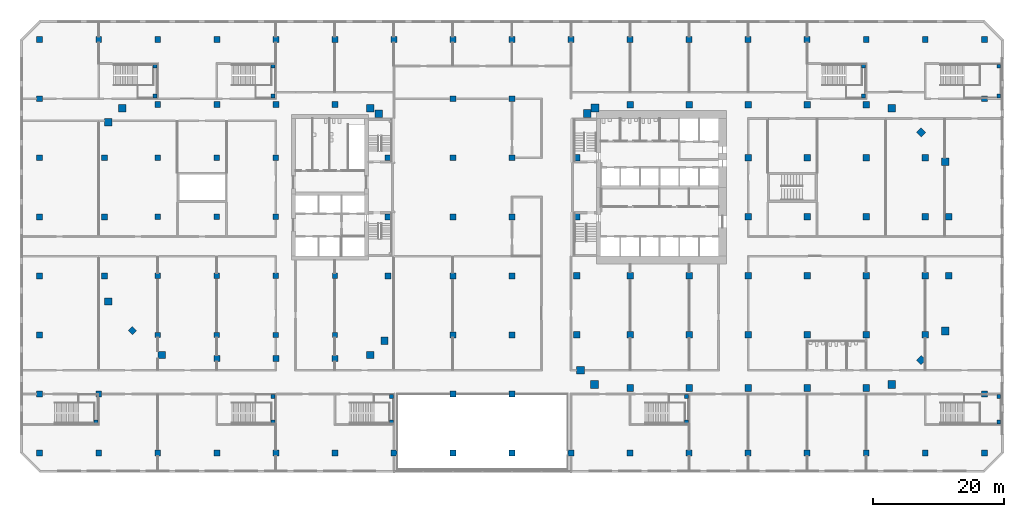
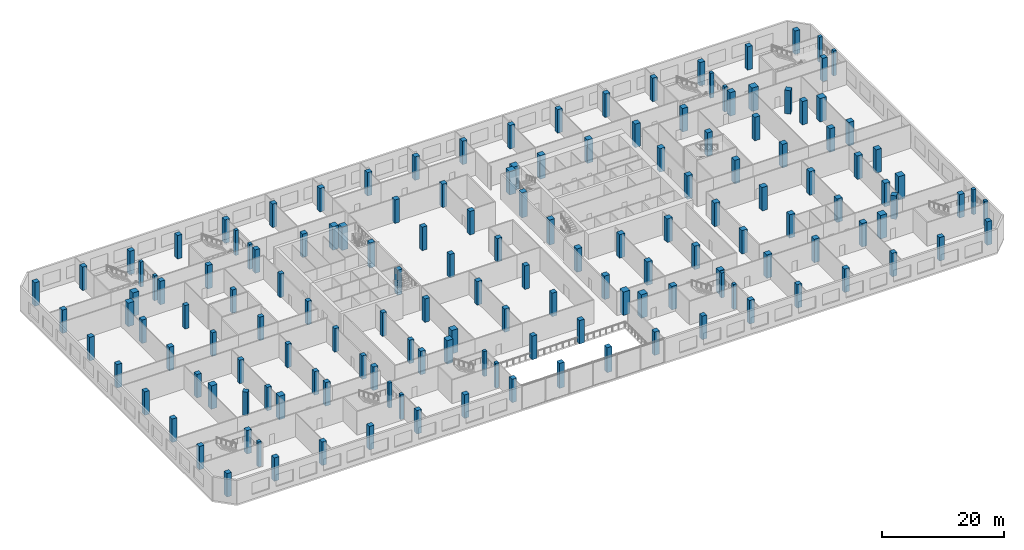
# One storey, part 1 of 23: 154 columns.
"""IFC4 building model written with IfcOpenShell, lengths in metres."""

from ifc_helpers import new_model, si_unit, direction, frame, origin, origin_2d, place, context, subcontext, project, spatial, rectangle, extrude, material, material_profile, profile_set, type_object, element, save


model = new_model("IFC4")

# Units and contexts
model_context = context("Model", 3, precision=1e-05, world=origin(), true_north=direction((0.0, 1.0)))
body_context = subcontext(model_context, "Body", "Model", "MODEL_VIEW")
ifc_project = project(units=[si_unit("LENGTHUNIT", "METRE"), si_unit("AREAUNIT", "SQUARE_METRE"), si_unit("VOLUMEUNIT", "CUBIC_METRE"), si_unit("PLANEANGLEUNIT", "RADIAN"), si_unit("MASSUNIT", "GRAM", prefix="KILO")], contexts=[model_context])

# Site, building, storey
site_placement = place(None, origin())
site = spatial("IfcSite", under=ifc_project, at=site_placement, CompositionType="ELEMENT")
building_placement = place(site_placement, origin())
building = spatial("IfcBuilding", under=site, at=building_placement, Name="Cinnabar Reach Civic Tower", CompositionType="ELEMENT")
storey_placement = place(building_placement, frame((0.0, 0.0, 6.0)))
storey = spatial("IfcBuildingStorey", under=building, at=storey_placement, Name="L01", CompositionType="ELEMENT", Elevation=6.0)

# Columns
ifc_material_1 = material(Name="Concrete C70", Category="concrete")
ifc_material_profile_1 = material_profile(ifc_material_1, rectangle(XDim=1.0, YDim=1.0, at=origin_2d()), Name="RC1000")
ifc_profile_set_1 = profile_set([ifc_material_profile_1], Name="Concrete C70")
column_type_1 = type_object("IfcColumnType", Name="RC1000 column R 240", PredefinedType="COLUMN", material=ifc_profile_set_1)
for number, where, z_axis, x_axis, name in (
    (1, (9.0, 0.9, 0.0), (0.0, 0.0, 1.0), (1.0, 0.0, 0.0), "Column T1-Z1-F0-1"),
    (2, (18.0, 0.9, 0.0), (0.0, 0.0, 1.0), (1.0, 0.0, 0.0), "Column T1-Z1-F0-2"),
    (3, (27.0, 0.9, 0.0), (0.0, 0.0, 1.0), (1.0, 0.0, 0.0), "Column T1-Z1-F0-3"),
    (4, (36.0, 0.9, 0.0), (0.0, 0.0, 1.0), (1.0, 0.0, 0.0), "Column T1-Z1-F0-4"),
    (5, (45.0, 0.9, 0.0), (0.0, 0.0, 1.0), (1.0, 0.0, 0.0), "Column T1-Z1-F0-5"),
    (6, (53.3636, 5.1364, 0.0), (0.0, 0.0, 1.0), (0.707106781187, 0.707106781187, 0.0), "Column T1-Z1-F1-M"),
    (7, (57.6, 18.0, 0.0), (0.0, 0.0, 1.0), (1.0, 0.0, 0.0), "Column T1-Z1-F2-2"),
    (8, (57.6, 27.0, 0.0), (0.0, 0.0, 1.0), (1.0, 0.0, 0.0), "Column T1-Z1-F2-3"),
    (9, (53.3636, 39.8636, 0.0), (0.0, 0.0, 1.0), (0.707106781187, 0.707106781187, 0.0), "Column T1-Z1-F3-M"),
    (10, (9.0, 44.1, 0.0), (0.0, 0.0, 1.0), (1.0, 0.0, 0.0), "Column T1-Z1-F4-1"),
    (11, (18.0, 44.1, 0.0), (0.0, 0.0, 1.0), (1.0, 0.0, 0.0), "Column T1-Z1-F4-2"),
    (12, (27.0, 44.1, 0.0), (0.0, 0.0, 1.0), (1.0, 0.0, 0.0), "Column T1-Z1-F4-3"),
    (13, (36.0, 44.1, 0.0), (0.0, 0.0, 1.0), (1.0, 0.0, 0.0), "Column T1-Z1-F4-4"),
    (14, (45.0, 44.1, 0.0), (0.0, 0.0, 1.0), (1.0, 0.0, 0.0), "Column T1-Z1-F4-5"),
    (15, (0.9, 9.0, 0.0), (0.0, 0.0, 1.0), (1.0, 0.0, 0.0), "Column T1-Z1-F6-1"),
    (16, (0.9, 18.0, 0.0), (0.0, 0.0, 1.0), (1.0, 0.0, 0.0), "Column T1-Z1-F6-2"),
):
    element("IfcColumn", number, at=place(storey_placement, frame(where, z_axis=z_axis, x_axis=x_axis)), inside=storey, type_object=column_type_1, Name=name, PredefinedType="COLUMN", context=body_context, shape_type="SweptSolid", body=[
        extrude(rectangle(XDim=1.0, YDim=1.0, at=origin_2d()), origin(), (0.0, 0.0, 1.0), 4.7),
    ])
for number, where, z_axis, x_axis, name in (
    (17, (0.9, 27.0, 0.0), (0.0, 0.0, 1.0), (1.0, 0.0, 0.0), "Column T1-Z1-F6-3"),
    (18, (0.9, 36.0, 0.0), (0.0, 0.0, 1.0), (1.0, 0.0, 0.0), "Column T1-Z1-F6-4"),
):
    element("IfcColumn", number, at=place(storey_placement, frame(where, z_axis=z_axis, x_axis=x_axis)), inside=storey, type_object=column_type_1, Name=name, PredefinedType="COLUMN", context=body_context, shape_type="SweptSolid", body=[
        extrude(rectangle(XDim=1.0, YDim=1.0, at=origin_2d()), origin(), (0.0, 0.0, 1.0), 5.0),
    ])
for number, where, z_axis, x_axis, name in (
    (19, (9.0, 9.0, 0.0), (0.0, 0.0, 1.0), (1.0, 0.0, 0.0), "Column T1-Z1-I9_9"),
    (20, (9.0, 18.0, 0.0), (0.0, 0.0, 1.0), (1.0, 0.0, 0.0), "Column T1-Z1-I9_18"),
    (21, (18.0, 9.0, 0.0), (0.0, 0.0, 1.0), (1.0, 0.0, 0.0), "Column T1-Z1-I18_9"),
    (22, (18.0, 18.0, 0.0), (0.0, 0.0, 1.0), (1.0, 0.0, 0.0), "Column T1-Z1-I18_18"),
    (23, (27.0, 9.0, 0.0), (0.0, 0.0, 1.0), (1.0, 0.0, 0.0), "Column T1-Z1-I27_9"),
    (24, (27.0, 18.0, 0.0), (0.0, 0.0, 1.0), (1.0, 0.0, 0.0), "Column T1-Z1-I27_18"),
    (25, (27.0, 27.0, 0.0), (0.0, 0.0, 1.0), (1.0, 0.0, 0.0), "Column T1-Z1-I27_27"),
    (26, (27.0, 36.0, 0.0), (0.0, 0.0, 1.0), (1.0, 0.0, 0.0), "Column T1-Z1-I27_36"),
    (27, (36.0, 9.0, 0.0), (0.0, 0.0, 1.0), (1.0, 0.0, 0.0), "Column T1-Z1-I36_9"),
    (28, (36.0, 18.0, 0.0), (0.0, 0.0, 1.0), (1.0, 0.0, 0.0), "Column T1-Z1-I36_18"),
    (29, (36.0, 27.0, 0.0), (0.0, 0.0, 1.0), (1.0, 0.0, 0.0), "Column T1-Z1-I36_27"),
    (30, (36.0, 36.0, 0.0), (0.0, 0.0, 1.0), (1.0, 0.0, 0.0), "Column T1-Z1-I36_36"),
    (31, (45.0, 9.0, 0.0), (0.0, 0.0, 1.0), (1.0, 0.0, 0.0), "Column T1-Z1-I45_9"),
    (32, (45.0, 18.0, 0.0), (0.0, 0.0, 1.0), (1.0, 0.0, 0.0), "Column T1-Z1-I45_18"),
    (33, (45.0, 27.0, 0.0), (0.0, 0.0, 1.0), (1.0, 0.0, 0.0), "Column T1-Z1-I45_27"),
    (34, (45.0, 36.0, 0.0), (0.0, 0.0, 1.0), (1.0, 0.0, 0.0), "Column T1-Z1-I45_36"),
    (35, (54.0, 9.0, 0.0), (0.0, 0.0, 1.0), (1.0, 0.0, 0.0), "Column T1-Z1-I54_9"),
    (36, (54.0, 18.0, 0.0), (0.0, 0.0, 1.0), (1.0, 0.0, 0.0), "Column T1-Z1-I54_18"),
    (37, (54.0, 27.0, 0.0), (0.0, 0.0, 1.0), (1.0, 0.0, 0.0), "Column T1-Z1-I54_27"),
    (38, (54.0, 36.0, 0.0), (0.0, 0.0, 1.0), (1.0, 0.0, 0.0), "Column T1-Z1-I54_36"),
):
    element("IfcColumn", number, at=place(storey_placement, frame(where, z_axis=z_axis, x_axis=x_axis)), inside=storey, type_object=column_type_1, Name=name, PredefinedType="COLUMN", context=body_context, shape_type="SweptSolid", body=[
        extrude(rectangle(XDim=1.0, YDim=1.0, at=origin_2d()), origin(), (0.0, 0.0, 1.0), 4.7),
    ])
ifc_material_2 = material(Name="Concrete C80", Category="concrete")
ifc_material_profile_2 = material_profile(ifc_material_2, rectangle(XDim=1.1, YDim=1.1, at=origin_2d()), Name="RC1100")
ifc_profile_set_2 = profile_set([ifc_material_profile_2], Name="Concrete C80")
column_type_2 = type_object("IfcColumnType", Name="RC1100 column R 180", PredefinedType="COLUMN", material=ifc_profile_set_2)
for number, where, z_axis, x_axis, name in (
    (39, (-62.3981, 5.9531, 0.0), (0.0, 0.0, 1.0), (1.0, 0.0, 0.0), "Column T2-Z1-CC0"),
    (40, (-30.6019, 5.9531, 0.0), (0.0, 0.0, 1.0), (1.0, 0.0, 0.0), "Column T2-Z1-CC1"),
    (41, (-28.4531, 8.1019, 0.0), (0.0, 0.0, 1.0), (1.0, 0.0, 0.0), "Column T2-Z1-CC2"),
    (42, (-29.3131, 42.7, 0.0), (0.0, 0.0, 1.0), (1.0, 0.0, 0.0), "Column T2-Z1-CC3"),
    (43, (-30.6019, 43.5469, 0.0), (0.0, 0.0, 1.0), (1.0, 0.0, 0.0), "Column T2-Z1-CC4"),
    (44, (-68.3981, 43.5469, 0.0), (0.0, 0.0, 1.0), (1.0, 0.0, 0.0), "Column T2-Z1-CC5"),
    (45, (-70.5469, 41.3981, 0.0), (0.0, 0.0, 1.0), (1.0, 0.0, 0.0), "Column T2-Z1-CC6"),
    (46, (-70.5469, 14.1019, 0.0), (0.0, 0.0, 1.0), (1.0, 0.0, 0.0), "Column T2-Z1-CC7"),
):
    element("IfcColumn", number, at=place(storey_placement, frame(where, z_axis=z_axis, x_axis=x_axis)), inside=storey, type_object=column_type_2, Name=name, PredefinedType="COLUMN", context=body_context, shape_type="SweptSolid", body=[
        extrude(rectangle(XDim=1.1, YDim=1.1, at=origin_2d()), origin(), (0.0, 0.0, 1.0), 4.7),
    ])
ifc_material_profile_3 = material_profile(ifc_material_2, rectangle(XDim=1.2, YDim=1.2, at=origin_2d()), Name="RC1200")
ifc_profile_set_3 = profile_set([ifc_material_profile_3], Name="Concrete C80")
column_type_3 = type_object("IfcColumnType", Name="RC1200 column R 240", PredefinedType="COLUMN", material=ifc_profile_set_3)
for number, where, z_axis, x_axis, name in (
    (47, (3.6019, 1.4531, 0.0), (0.0, 0.0, 1.0), (1.0, 0.0, 0.0), "Column T1-Z1-CC0"),
    (48, (48.8981, 1.4531, 0.0), (0.0, 0.0, 1.0), (1.0, 0.0, 0.0), "Column T1-Z1-CC1"),
    (49, (57.0469, 9.6019, 0.0), (0.0, 0.0, 1.0), (1.0, 0.0, 0.0), "Column T1-Z1-CC2"),
    (50, (57.0469, 35.3981, 0.0), (0.0, 0.0, 1.0), (1.0, 0.0, 0.0), "Column T1-Z1-CC3"),
    (51, (48.8981, 43.5469, 0.0), (0.0, 0.0, 1.0), (1.0, 0.0, 0.0), "Column T1-Z1-CC4"),
    (52, (3.6666, 43.5737, 0.0), (0.0, 0.0, 1.0), (1.0, 0.0, 0.0), "Column T1-Z1-CC5"),
    (53, (2.4631, 42.75, 0.0), (0.0, 0.0, 1.0), (1.0, 0.0, 0.0), "Column T1-Z1-CC6"),
    (54, (1.4531, 3.6019, 0.0), (0.0, 0.0, 1.0), (1.0, 0.0, 0.0), "Column T1-Z1-CC7"),
):
    element("IfcColumn", number, at=place(storey_placement, frame(where, z_axis=z_axis, x_axis=x_axis)), inside=storey, type_object=column_type_3, Name=name, PredefinedType="COLUMN", context=body_context, shape_type="SweptSolid", body=[
        extrude(rectangle(XDim=1.2, YDim=1.2, at=origin_2d()), origin(), (0.0, 0.0, 1.0), 4.7),
    ])
ifc_material_3 = material(Name="Concrete C60", Category="concrete")
ifc_material_profile_4 = material_profile(ifc_material_3, rectangle(XDim=0.6, YDim=0.6, at=origin_2d()), Name="RC600")
ifc_profile_set_4 = profile_set([ifc_material_profile_4], Name="Concrete C60")
column_type_4 = type_object("IfcColumnType", Name="RC600 landing post R 240", PredefinedType="COLUMN", material=ifc_profile_set_4)
for number, where, z_axis, x_axis, name in (
    (55, (-72.4, -4.25, 0.0), (0.0, 0.0, 1.0), (1.0, 0.0, 0.0), "Landing post PS1 L01 1"),
    (56, (-63.4, 49.95, 0.0), (0.0, 0.0, 1.0), (1.0, 0.0, 0.0), "Landing post PS2 L01 1"),
    (57, (-63.4, 45.4, 0.0), (0.0, 0.0, 1.0), (1.0, 0.0, 0.0), "Landing post PS2 L01 2"),
    (58, (17.6, -4.25, 0.0), (0.0, 0.0, 1.0), (1.0, 0.0, 0.0), "Landing post PS3 L01 1"),
    (59, (17.6, -0.4, 0.0), (0.0, 0.0, 1.0), (1.0, 0.0, 0.0), "Landing post PS3 L01 2"),
    (60, (65.2, -4.25, 0.0), (0.0, 0.0, 1.0), (1.0, 0.0, 0.0), "Landing post PS4 L01 1"),
    (61, (65.2, -0.4, 0.0), (0.0, 0.0, 1.0), (1.0, 0.0, 0.0), "Landing post PS4 L01 2"),
    (62, (65.2, 49.95, 0.0), (0.0, 0.0, 1.0), (1.0, 0.0, 0.0), "Landing post PS5 L01 1"),
    (63, (65.2, 45.4, 0.0), (0.0, 0.0, 1.0), (1.0, 0.0, 0.0), "Landing post PS5 L01 2"),
    (64, (44.6, 49.95, 0.0), (0.0, 0.0, 1.0), (1.0, 0.0, 0.0), "Landing post PS6 L01 1"),
    (65, (44.6, 45.4, 0.0), (0.0, 0.0, 1.0), (1.0, 0.0, 0.0), "Landing post PS6 L01 2"),
    (66, (-45.4, 49.95, 0.0), (0.0, 0.0, 1.0), (1.0, 0.0, 0.0), "Landing post PS7 L01 1"),
    (67, (-45.4, 45.4, 0.0), (0.0, 0.0, 1.0), (1.0, 0.0, 0.0), "Landing post PS7 L01 2"),
    (68, (-45.4, -4.25, 0.0), (0.0, 0.0, 1.0), (1.0, 0.0, 0.0), "Landing post PS8 L01 1"),
    (69, (-45.4, -0.4, 0.0), (0.0, 0.0, 1.0), (1.0, 0.0, 0.0), "Landing post PS8 L01 2"),
    (70, (-27.4, -4.25, 0.0), (0.0, 0.0, 1.0), (1.0, 0.0, 0.0), "Landing post PS9 L01 1"),
    (71, (-27.4, -0.4, 0.0), (0.0, 0.0, 1.0), (1.0, 0.0, 0.0), "Landing post PS9 L01 2"),
):
    element("IfcColumn", number, at=place(storey_placement, frame(where, z_axis=z_axis, x_axis=x_axis)), inside=storey, type_object=column_type_4, Name=name, PredefinedType="COLUMN", context=body_context, shape_type="SweptSolid", body=[
        extrude(rectangle(XDim=0.6, YDim=0.6, at=origin_2d()), origin(), (0.0, 0.0, 1.0), 5.0),
    ])
ifc_material_profile_5 = material_profile(ifc_material_3, rectangle(XDim=0.8, YDim=0.8, at=origin_2d()), Name="RC800")
ifc_profile_set_5 = profile_set([ifc_material_profile_5], Name="Concrete C60")
column_type_5 = type_object("IfcColumnType", Name="RC800 column R 180", PredefinedType="COLUMN", material=ifc_profile_set_5)
for number, where, z_axis, x_axis, name in (
    (72, (-63.0, 9.0, 0.0), (0.0, 0.0, 1.0), (1.0, 0.0, 0.0), "Column T2-Z1-I-63_9"),
    (73, (-63.0, 18.0, 0.0), (0.0, 0.0, 1.0), (1.0, 0.0, 0.0), "Column T2-Z1-I-63_18"),
    (74, (-63.0, 27.0, 0.0), (0.0, 0.0, 1.0), (1.0, 0.0, 0.0), "Column T2-Z1-I-63_27"),
    (75, (-63.0, 36.0, 0.0), (0.0, 0.0, 1.0), (1.0, 0.0, 0.0), "Column T2-Z1-I-63_36"),
    (76, (-54.0, 9.0, 0.0), (0.0, 0.0, 1.0), (1.0, 0.0, 0.0), "Column T2-Z1-I-54_9"),
    (77, (-54.0, 18.0, 0.0), (0.0, 0.0, 1.0), (1.0, 0.0, 0.0), "Column T2-Z1-I-54_18"),
    (78, (-54.0, 27.0, 0.0), (0.0, 0.0, 1.0), (1.0, 0.0, 0.0), "Column T2-Z1-I-54_27"),
    (79, (-54.0, 36.0, 0.0), (0.0, 0.0, 1.0), (1.0, 0.0, 0.0), "Column T2-Z1-I-54_36"),
    (80, (-45.0, 9.0, 0.0), (0.0, 0.0, 1.0), (1.0, 0.0, 0.0), "Column T2-Z1-I-45_9"),
    (81, (-45.0, 18.0, 0.0), (0.0, 0.0, 1.0), (1.0, 0.0, 0.0), "Column T2-Z1-I-45_18"),
    (82, (-45.0, 27.0, 0.0), (0.0, 0.0, 1.0), (1.0, 0.0, 0.0), "Column T2-Z1-I-45_27"),
    (83, (-45.0, 36.0, 0.0), (0.0, 0.0, 1.0), (1.0, 0.0, 0.0), "Column T2-Z1-I-45_36"),
    (84, (-36.0, 9.0, 0.0), (0.0, 0.0, 1.0), (1.0, 0.0, 0.0), "Column T2-Z1-I-36_9"),
    (85, (-36.0, 18.0, 0.0), (0.0, 0.0, 1.0), (1.0, 0.0, 0.0), "Column T2-Z1-I-36_18"),
):
    element("IfcColumn", number, at=place(storey_placement, frame(where, z_axis=z_axis, x_axis=x_axis)), inside=storey, type_object=column_type_5, Name=name, PredefinedType="COLUMN", context=body_context, shape_type="SweptSolid", body=[
        extrude(rectangle(XDim=0.8, YDim=0.8, at=origin_2d()), origin(), (0.0, 0.0, 1.0), 4.7),
    ])
ifc_material_profile_6 = material_profile(ifc_material_1, rectangle(XDim=0.9, YDim=0.9, at=origin_2d()), Name="RC900")
ifc_profile_set_6 = profile_set([ifc_material_profile_6], Name="Concrete C70")
column_type_6 = type_object("IfcColumnType", Name="RC900 column R 180", PredefinedType="COLUMN", material=ifc_profile_set_6)
for number, where, z_axis, x_axis, name in (
    (86, (-54.0, 5.4, 0.0), (0.0, 0.0, 1.0), (1.0, 0.0, 0.0), "Column T2-Z1-F0--6"),
    (87, (-45.0, 5.4, 0.0), (0.0, 0.0, 1.0), (1.0, 0.0, 0.0), "Column T2-Z1-F0--5"),
    (88, (-36.0, 5.4, 0.0), (0.0, 0.0, 1.0), (1.0, 0.0, 0.0), "Column T2-Z1-F0--4"),
    (89, (-27.9, 18.0, 0.0), (0.0, 0.0, 1.0), (1.0, 0.0, 0.0), "Column T2-Z1-F2-2"),
):
    element("IfcColumn", number, at=place(storey_placement, frame(where, z_axis=z_axis, x_axis=x_axis)), inside=storey, type_object=column_type_6, Name=name, PredefinedType="COLUMN", context=body_context, shape_type="SweptSolid", body=[
        extrude(rectangle(XDim=0.9, YDim=0.9, at=origin_2d()), origin(), (0.0, 0.0, 1.0), 4.7),
    ])
for number, where, z_axis, x_axis, name in (
    (90, (-27.9, 27.0, 0.0), (0.0, 0.0, 1.0), (1.0, 0.0, 0.0), "Column T2-Z1-F2-3"),
    (91, (-27.9, 36.0, 0.0), (0.0, 0.0, 1.0), (1.0, 0.0, 0.0), "Column T2-Z1-F2-4"),
):
    element("IfcColumn", number, at=place(storey_placement, frame(where, z_axis=z_axis, x_axis=x_axis)), inside=storey, type_object=column_type_6, Name=name, PredefinedType="COLUMN", context=body_context, shape_type="SweptSolid", body=[
        extrude(rectangle(XDim=0.9, YDim=0.9, at=origin_2d()), origin(), (0.0, 0.0, 1.0), 5.0),
    ])
for number, where, z_axis, x_axis, name in (
    (92, (-63.0, 44.1, 0.0), (0.0, 0.0, 1.0), (1.0, 0.0, 0.0), "Column T2-Z1-F4--7"),
    (93, (-54.0, 44.1, 0.0), (0.0, 0.0, 1.0), (1.0, 0.0, 0.0), "Column T2-Z1-F4--6"),
    (94, (-45.0, 44.1, 0.0), (0.0, 0.0, 1.0), (1.0, 0.0, 0.0), "Column T2-Z1-F4--5"),
    (95, (-36.0, 44.1, 0.0), (0.0, 0.0, 1.0), (1.0, 0.0, 0.0), "Column T2-Z1-F4--4"),
    (96, (-71.1, 18.0, 0.0), (0.0, 0.0, 1.0), (1.0, 0.0, 0.0), "Column T2-Z1-F6-2"),
    (97, (-71.1, 27.0, 0.0), (0.0, 0.0, 1.0), (1.0, 0.0, 0.0), "Column T2-Z1-F6-3"),
    (98, (-71.1, 36.0, 0.0), (0.0, 0.0, 1.0), (1.0, 0.0, 0.0), "Column T2-Z1-F6-4"),
    (99, (-66.8636, 9.6364, 0.0), (0.0, 0.0, 1.0), (0.707106781187, 0.707106781187, 0.0), "Column T2-Z1-F7-M"),
):
    element("IfcColumn", number, at=place(storey_placement, frame(where, z_axis=z_axis, x_axis=x_axis)), inside=storey, type_object=column_type_6, Name=name, PredefinedType="COLUMN", context=body_context, shape_type="SweptSolid", body=[
        extrude(rectangle(XDim=0.9, YDim=0.9, at=origin_2d()), origin(), (0.0, 0.0, 1.0), 4.7),
    ])
ifc_material_profile_7 = material_profile(ifc_material_1, rectangle(XDim=0.9, YDim=0.9, at=origin_2d()), Name="RC900")
ifc_profile_set_7 = profile_set([ifc_material_profile_7], Name="Concrete C70")
column_type_7 = type_object("IfcColumnType", Name="RC900 column R 240", PredefinedType="COLUMN", material=ifc_profile_set_7)
for number, where, z_axis, x_axis, name in (
    (100, (-81.0, -9.0, 0.0), (0.0, 0.0, 1.0), (1.0, 0.0, 0.0), "Column -81/-9 L01"),
    (101, (-81.0, 0.0, 0.0), (0.0, 0.0, 1.0), (1.0, 0.0, 0.0), "Column -81/0 L01"),
    (102, (-81.0, 9.0, 0.0), (0.0, 0.0, 1.0), (1.0, 0.0, 0.0), "Column -81/9 L01"),
    (103, (-81.0, 18.0, 0.0), (0.0, 0.0, 1.0), (1.0, 0.0, 0.0), "Column -81/18 L01"),
    (104, (-81.0, 27.0, 0.0), (0.0, 0.0, 1.0), (1.0, 0.0, 0.0), "Column -81/27 L01"),
    (105, (-81.0, 36.0, 0.0), (0.0, 0.0, 1.0), (1.0, 0.0, 0.0), "Column -81/36 L01"),
    (106, (-81.0, 45.0, 0.0), (0.0, 0.0, 1.0), (1.0, 0.0, 0.0), "Column -81/45 L01"),
    (107, (-81.0, 54.0, 0.0), (0.0, 0.0, 1.0), (1.0, 0.0, 0.0), "Column -81/54 L01"),
    (108, (-72.0, -9.0, 0.0), (0.0, 0.0, 1.0), (1.0, 0.0, 0.0), "Column -72/-9 L01"),
    (109, (-72.0, 0.0, 0.0), (0.0, 0.0, 1.0), (1.0, 0.0, 0.0), "Column -72/0 L01"),
    (110, (-72.0, 54.0, 0.0), (0.0, 0.0, 1.0), (1.0, 0.0, 0.0), "Column -72/54 L01"),
    (111, (-63.0, -9.0, 0.0), (0.0, 0.0, 1.0), (1.0, 0.0, 0.0), "Column -63/-9 L01"),
    (112, (-63.0, 54.0, 0.0), (0.0, 0.0, 1.0), (1.0, 0.0, 0.0), "Column -63/54 L01"),
    (113, (-54.0, -9.0, 0.0), (0.0, 0.0, 1.0), (1.0, 0.0, 0.0), "Column -54/-9 L01"),
    (114, (-54.0, 54.0, 0.0), (0.0, 0.0, 1.0), (1.0, 0.0, 0.0), "Column -54/54 L01"),
    (115, (-45.0, -9.0, 0.0), (0.0, 0.0, 1.0), (1.0, 0.0, 0.0), "Column -45/-9 L01"),
    (116, (-45.0, 54.0, 0.0), (0.0, 0.0, 1.0), (1.0, 0.0, 0.0), "Column -45/54 L01"),
    (117, (-36.0, -9.0, 0.0), (0.0, 0.0, 1.0), (1.0, 0.0, 0.0), "Column -36/-9 L01"),
    (118, (-36.0, 54.0, 0.0), (0.0, 0.0, 1.0), (1.0, 0.0, 0.0), "Column -36/54 L01"),
    (119, (-27.0, -9.0, 0.0), (0.0, 0.0, 1.0), (1.0, 0.0, 0.0), "Column -27/-9 L01"),
    (120, (-27.0, 54.0, 0.0), (0.0, 0.0, 1.0), (1.0, 0.0, 0.0), "Column -27/54 L01"),
):
    element("IfcColumn", number, at=place(storey_placement, frame(where, z_axis=z_axis, x_axis=x_axis)), inside=storey, type_object=column_type_7, Name=name, PredefinedType="COLUMN", context=body_context, shape_type="SweptSolid", body=[
        extrude(rectangle(XDim=0.9, YDim=0.9, at=origin_2d()), origin(), (0.0, 0.0, 1.0), 4.7),
    ])
column_1_placement = place(storey_placement, frame((-18.0, -9.0, -0.3), z_axis=(0.0, 0.0, 1.0), x_axis=(1.0, 0.0, 0.0)))
element("IfcColumn", 121, at=column_1_placement, inside=storey, type_object=column_type_7, Name="Column -18/-9 L01", PredefinedType="COLUMN", context=body_context, shape_type="SweptSolid", body=[
    extrude(rectangle(XDim=0.9, YDim=0.9, at=origin_2d()), origin(), (0.0, 0.0, 1.0), 5.0),
])
for number, where, z_axis, x_axis, name in (
    (122, (-18.0, 0.0, 0.0), (0.0, 0.0, 1.0), (1.0, 0.0, 0.0), "Column -18/0 L01"),
    (123, (-18.0, 9.0, 0.0), (0.0, 0.0, 1.0), (1.0, 0.0, 0.0), "Column -18/9 L01"),
    (124, (-18.0, 18.0, 0.0), (0.0, 0.0, 1.0), (1.0, 0.0, 0.0), "Column -18/18 L01"),
    (125, (-18.0, 27.0, 0.0), (0.0, 0.0, 1.0), (1.0, 0.0, 0.0), "Column -18/27 L01"),
    (126, (-18.0, 36.0, 0.0), (0.0, 0.0, 1.0), (1.0, 0.0, 0.0), "Column -18/36 L01"),
    (127, (-18.0, 45.0, 0.0), (0.0, 0.0, 1.0), (1.0, 0.0, 0.0), "Column -18/45 L01"),
    (128, (-18.0, 54.0, 0.0), (0.0, 0.0, 1.0), (1.0, 0.0, 0.0), "Column -18/54 L01"),
):
    element("IfcColumn", number, at=place(storey_placement, frame(where, z_axis=z_axis, x_axis=x_axis)), inside=storey, type_object=column_type_7, Name=name, PredefinedType="COLUMN", context=body_context, shape_type="SweptSolid", body=[
        extrude(rectangle(XDim=0.9, YDim=0.9, at=origin_2d()), origin(), (0.0, 0.0, 1.0), 4.7),
    ])
column_2_placement = place(storey_placement, frame((-9.0, -9.0, -0.3), z_axis=(0.0, 0.0, 1.0), x_axis=(1.0, 0.0, 0.0)))
element("IfcColumn", 129, at=column_2_placement, inside=storey, type_object=column_type_7, Name="Column -9/-9 L01", PredefinedType="COLUMN", context=body_context, shape_type="SweptSolid", body=[
    extrude(rectangle(XDim=0.9, YDim=0.9, at=origin_2d()), origin(), (0.0, 0.0, 1.0), 5.0),
])
for number, where, z_axis, x_axis, name in (
    (130, (-9.0, 0.0, 0.0), (0.0, 0.0, 1.0), (1.0, 0.0, 0.0), "Column -9/0 L01"),
    (131, (-9.0, 9.0, 0.0), (0.0, 0.0, 1.0), (1.0, 0.0, 0.0), "Column -9/9 L01"),
    (132, (-9.0, 18.0, 0.0), (0.0, 0.0, 1.0), (1.0, 0.0, 0.0), "Column -9/18 L01"),
    (133, (-9.0, 27.0, 0.0), (0.0, 0.0, 1.0), (1.0, 0.0, 0.0), "Column -9/27 L01"),
    (134, (-9.0, 36.0, 0.0), (0.0, 0.0, 1.0), (1.0, 0.0, 0.0), "Column -9/36 L01"),
    (135, (-9.0, 45.0, 0.0), (0.0, 0.0, 1.0), (1.0, 0.0, 0.0), "Column -9/45 L01"),
    (136, (-9.0, 54.0, 0.0), (0.0, 0.0, 1.0), (1.0, 0.0, 0.0), "Column -9/54 L01"),
    (137, (0.0, -9.0, 0.0), (0.0, 0.0, 1.0), (1.0, 0.0, 0.0), "Column 0/-9 L01"),
    (138, (0.0, 54.0, 0.0), (0.0, 0.0, 1.0), (1.0, 0.0, 0.0), "Column 0/54 L01"),
    (139, (9.0, -9.0, 0.0), (0.0, 0.0, 1.0), (1.0, 0.0, 0.0), "Column 9/-9 L01"),
    (140, (9.0, 54.0, 0.0), (0.0, 0.0, 1.0), (1.0, 0.0, 0.0), "Column 9/54 L01"),
    (141, (18.0, -9.0, 0.0), (0.0, 0.0, 1.0), (1.0, 0.0, 0.0), "Column 18/-9 L01"),
    (142, (18.0, 54.0, 0.0), (0.0, 0.0, 1.0), (1.0, 0.0, 0.0), "Column 18/54 L01"),
    (143, (27.0, -9.0, 0.0), (0.0, 0.0, 1.0), (1.0, 0.0, 0.0), "Column 27/-9 L01"),
    (144, (27.0, 54.0, 0.0), (0.0, 0.0, 1.0), (1.0, 0.0, 0.0), "Column 27/54 L01"),
    (145, (36.0, -9.0, 0.0), (0.0, 0.0, 1.0), (1.0, 0.0, 0.0), "Column 36/-9 L01"),
    (146, (36.0, 54.0, 0.0), (0.0, 0.0, 1.0), (1.0, 0.0, 0.0), "Column 36/54 L01"),
    (147, (45.0, -9.0, 0.0), (0.0, 0.0, 1.0), (1.0, 0.0, 0.0), "Column 45/-9 L01"),
    (148, (45.0, 54.0, 0.0), (0.0, 0.0, 1.0), (1.0, 0.0, 0.0), "Column 45/54 L01"),
    (149, (54.0, -9.0, 0.0), (0.0, 0.0, 1.0), (1.0, 0.0, 0.0), "Column 54/-9 L01"),
    (150, (54.0, 54.0, 0.0), (0.0, 0.0, 1.0), (1.0, 0.0, 0.0), "Column 54/54 L01"),
    (151, (63.0, -9.0, 0.0), (0.0, 0.0, 1.0), (1.0, 0.0, 0.0), "Column 63/-9 L01"),
    (152, (63.0, 0.0, 0.0), (0.0, 0.0, 1.0), (1.0, 0.0, 0.0), "Column 63/0 L01"),
    (153, (63.0, 45.0, 0.0), (0.0, 0.0, 1.0), (1.0, 0.0, 0.0), "Column 63/45 L01"),
    (154, (63.0, 54.0, 0.0), (0.0, 0.0, 1.0), (1.0, 0.0, 0.0), "Column 63/54 L01"),
):
    element("IfcColumn", number, at=place(storey_placement, frame(where, z_axis=z_axis, x_axis=x_axis)), inside=storey, type_object=column_type_7, Name=name, PredefinedType="COLUMN", context=body_context, shape_type="SweptSolid", body=[
        extrude(rectangle(XDim=0.9, YDim=0.9, at=origin_2d()), origin(), (0.0, 0.0, 1.0), 4.7),
    ])

save(model, "model.ifc")
